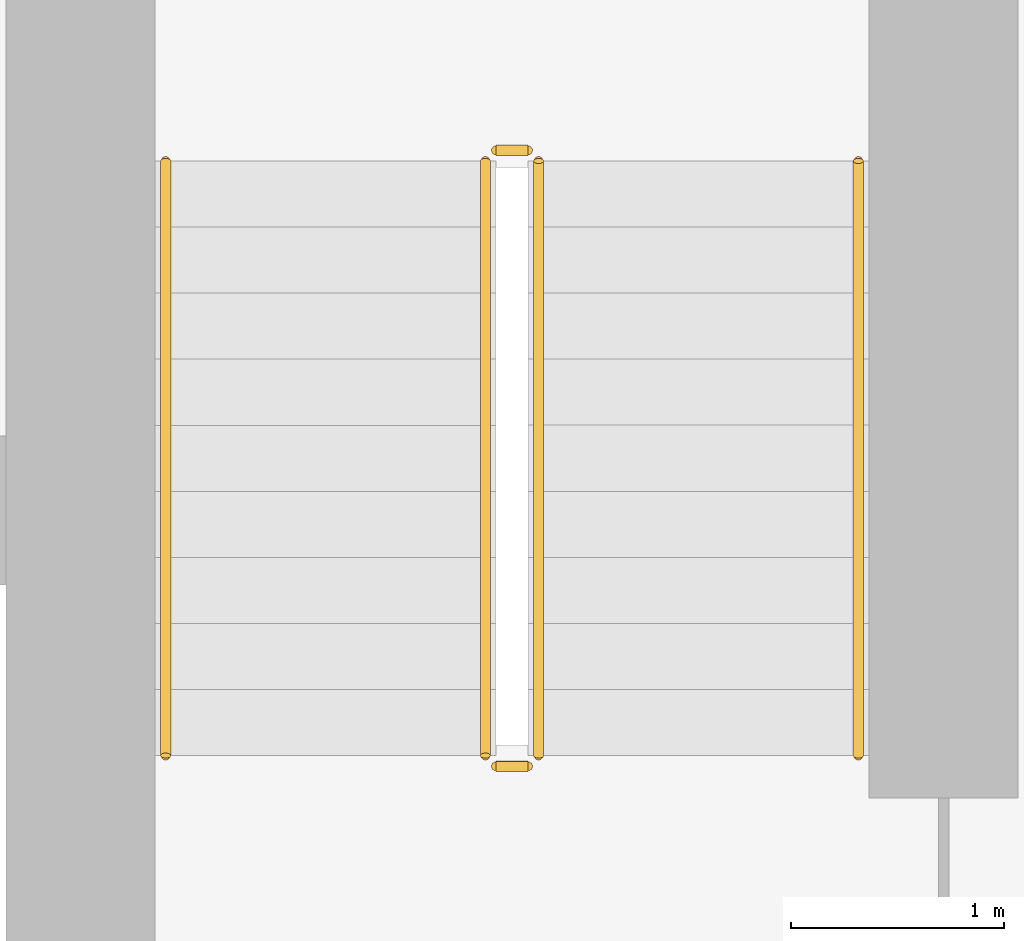
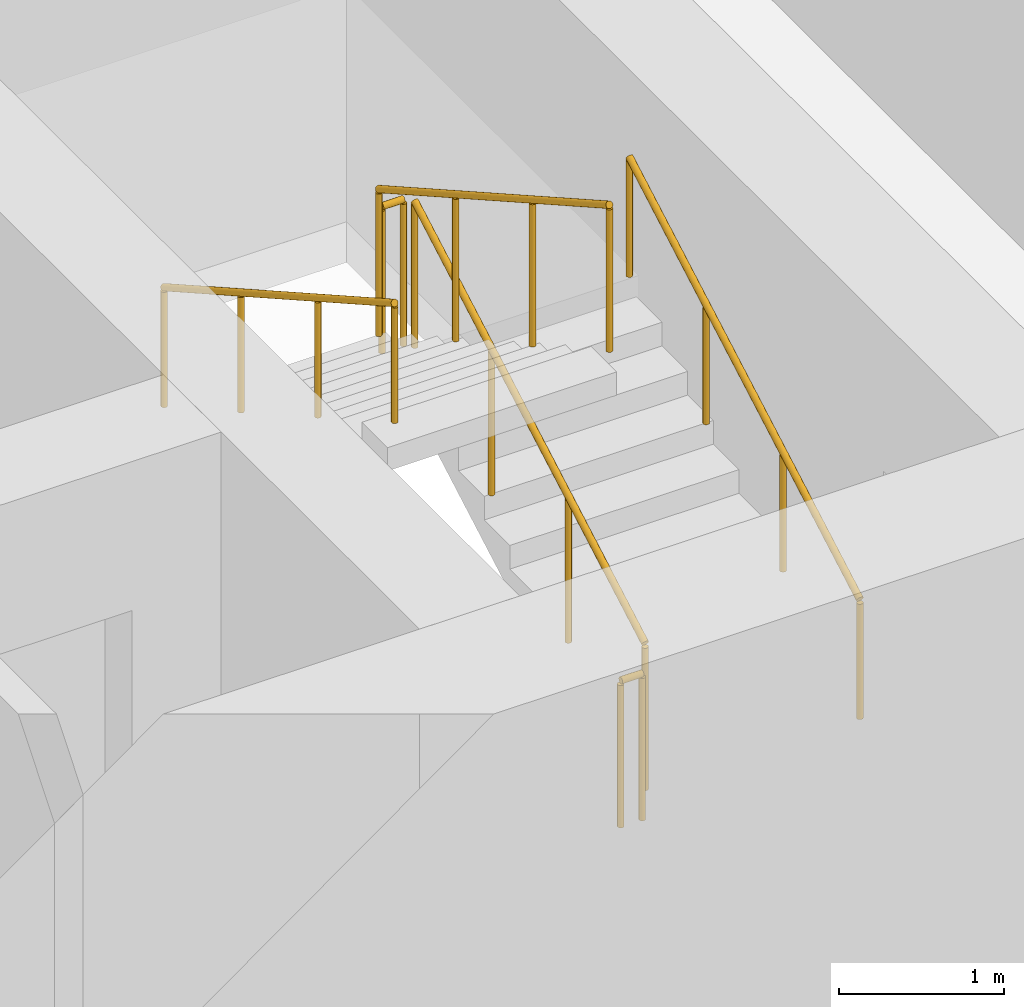
# One storey, part 19 of 21: 6 railings.
"""IFC4 building model written with IfcOpenShell, lengths in metres."""

from ifc_helpers import new_model, si_unit, direction, frame, origin, origin_2d, place, context, subcontext, project, spatial, circle, extrude, material, type_object, element, save


model = new_model("IFC4")

# Units and contexts
model_context = context("Model", 3, precision=1e-05, world=origin(), true_north=direction((0.0, 1.0)))
body_context = subcontext(model_context, "Body", "Model", "MODEL_VIEW")
ifc_project = project(units=[si_unit("LENGTHUNIT", "METRE"), si_unit("AREAUNIT", "SQUARE_METRE"), si_unit("VOLUMEUNIT", "CUBIC_METRE"), si_unit("PLANEANGLEUNIT", "RADIAN"), si_unit("MASSUNIT", "GRAM", prefix="KILO")], contexts=[model_context])

# Site, building, storey
site_placement = place(None, origin())
site = spatial("IfcSite", under=ifc_project, at=site_placement, CompositionType="ELEMENT")
building_placement = place(site_placement, origin())
building = spatial("IfcBuilding", under=site, at=building_placement, Name="Madar Terraces", CompositionType="ELEMENT")
storey_placement = place(building_placement, frame((0.0, 0.0, 43.39990234375)))
storey = spatial("IfcBuildingStorey", under=building, at=storey_placement, Name="L10", CompositionType="ELEMENT", Elevation=43.39990234375)

# Railings
ifc_material_1 = material(Name="Stainless steel railing", Category="steel")
railing_type_1 = type_object("IfcRailingType", Name="Stair guard 1100", PredefinedType="GUARDRAIL", material=ifc_material_1)
railing_1_placement = place(storey_placement, frame((41.449951171875, 17.60009765625, 0.175048828125)))
element("IfcRailing", 1, at=railing_1_placement, inside=storey, type_object=railing_type_1, Name="L10 ST3 stair guard 1", PredefinedType="GUARDRAIL", context=body_context, shape_type="SweptSolid", body=[
    extrude(circle(Radius=0.02392578125, at=origin_2d()), frame((0.0, 0.0, 1.076171875), z_axis=(0.0, 0.870815363784, 0.491610213684), x_axis=(-1.0, 0.0, 0.0)), (0.0, 0.0, 1.0), 3.20361328125),
    extrude(circle(Radius=0.02099609375, at=origin_2d()), origin(), (0.0, 0.0, 1.0), 1.052001953125),
    extrude(circle(Radius=0.02099609375, at=origin_2d()), frame((0.0, 0.929931640625, 0.52490234375)), (0.0, 0.0, 1.0), 1.052001953125),
    extrude(circle(Radius=0.02099609375, at=origin_2d()), frame((0.0, 1.85986328125, 1.050048828125)), (0.0, 0.0, 1.0), 1.052001953125),
    extrude(circle(Radius=0.02099609375, at=origin_2d()), frame((0.0, 2.789794921875, 1.574951171875)), (0.0, 0.0, 1.0), 1.052001953125),
])
railing_2_placement = place(storey_placement, frame((41.39990234375, 20.43994140625, 1.75)))
element("IfcRailing", 2, at=railing_2_placement, inside=storey, type_object=railing_type_1, Name="L10 ST3 stair guard 2", PredefinedType="GUARDRAIL", context=body_context, shape_type="SweptSolid", body=[
    extrude(circle(Radius=0.02392578125, at=origin_2d()), frame((0.0, 0.0, 1.076171875), z_axis=(-1.0, 0.0, 0.0), x_axis=(0.0, -1.0, 0.0)), (0.0, 0.0, 1.0), 0.14990234375),
    extrude(circle(Radius=0.02099609375, at=origin_2d()), origin(), (0.0, 0.0, 1.0), 1.052001953125),
    extrude(circle(Radius=0.02099609375, at=origin_2d()), frame((-0.14990234375, 0.0, 0.0)), (0.0, 0.0, 1.0), 1.052001953125),
])
railing_3_placement = place(storey_placement, frame((41.199951171875, 20.389892578125, 1.925048828125)))
element("IfcRailing", 3, at=railing_3_placement, inside=storey, type_object=railing_type_1, Name="L10 ST3 stair guard 3", PredefinedType="GUARDRAIL", context=body_context, shape_type="SweptSolid", body=[
    extrude(circle(Radius=0.02392578125, at=origin_2d()), frame((0.0, 0.0, 1.076171875), z_axis=(0.0, -0.870815363784, 0.491610213684), x_axis=(1.0, 0.0, 0.0)), (0.0, 0.0, 1.0), 3.20361328125),
    extrude(circle(Radius=0.02099609375, at=origin_2d()), origin(), (0.0, 0.0, 1.0), 1.052001953125),
    extrude(circle(Radius=0.02099609375, at=origin_2d()), frame((0.0, -0.929931640625, 0.52490234375)), (0.0, 0.0, 1.0), 1.052001953125),
    extrude(circle(Radius=0.02099609375, at=origin_2d()), frame((0.0, -1.85986328125, 1.050048828125)), (0.0, 0.0, 1.0), 1.052001953125),
    extrude(circle(Radius=0.02099609375, at=origin_2d()), frame((0.0, -2.789794921875, 1.574951171875)), (0.0, 0.0, 1.0), 1.052001953125),
])
railing_4_placement = place(storey_placement, frame((41.39990234375, 17.550048828125, 0.0)))
element("IfcRailing", 4, at=railing_4_placement, inside=storey, type_object=railing_type_1, Name="L10 ST3 stair guard 4", PredefinedType="GUARDRAIL", context=body_context, shape_type="SweptSolid", body=[
    extrude(circle(Radius=0.02392578125, at=origin_2d()), frame((0.0, 0.0, 1.076171875), z_axis=(-1.0, 0.0, 0.0), x_axis=(0.0, -1.0, 0.0)), (0.0, 0.0, 1.0), 0.14990234375),
    extrude(circle(Radius=0.02099609375, at=origin_2d()), origin(), (0.0, 0.0, 1.0), 1.052001953125),
    extrude(circle(Radius=0.02099609375, at=origin_2d()), frame((-0.14990234375, 0.0, 0.0)), (0.0, 0.0, 1.0), 1.052001953125),
])
ifc_material_2 = material(Name="Stainless steel railing", Category="steel")
railing_type_2 = type_object("IfcRailingType", Name="Stair handrail 900", PredefinedType="HANDRAIL", material=ifc_material_2)
railing_5_placement = place(storey_placement, frame((42.949951171875, 17.60009765625, 0.175048828125)))
element("IfcRailing", 5, at=railing_5_placement, inside=storey, type_object=railing_type_2, Name="L10 ST3 stair handrail 1", PredefinedType="HANDRAIL", context=body_context, shape_type="SweptSolid", body=[
    extrude(circle(Radius=0.02392578125, at=origin_2d()), frame((0.0, 0.0, 0.8759765625), z_axis=(0.0, 0.870815363784, 0.491610213684), x_axis=(-1.0, 0.0, 0.0)), (0.0, 0.0, 1.0), 3.20361328125),
    extrude(circle(Radius=0.02099609375, at=origin_2d()), origin(), (0.0, 0.0, 1.0), 0.851806640625),
    extrude(circle(Radius=0.02099609375, at=origin_2d()), frame((0.0, 0.929931640625, 0.52490234375)), (0.0, 0.0, 1.0), 0.851806640625),
    extrude(circle(Radius=0.02099609375, at=origin_2d()), frame((0.0, 1.85986328125, 1.050048828125)), (0.0, 0.0, 1.0), 0.851806640625),
    extrude(circle(Radius=0.02099609375, at=origin_2d()), frame((0.0, 2.789794921875, 1.574951171875)), (0.0, 0.0, 1.0), 0.851806640625),
])
railing_6_placement = place(storey_placement, frame((39.699951171875, 20.389892578125, 1.925048828125)))
element("IfcRailing", 6, at=railing_6_placement, inside=storey, type_object=railing_type_2, Name="L10 ST3 stair handrail 2", PredefinedType="HANDRAIL", context=body_context, shape_type="SweptSolid", body=[
    extrude(circle(Radius=0.02392578125, at=origin_2d()), frame((0.0, 0.0, 0.8759765625), z_axis=(0.0, -0.870815363784, 0.491610213684), x_axis=(1.0, 0.0, 0.0)), (0.0, 0.0, 1.0), 3.20361328125),
    extrude(circle(Radius=0.02099609375, at=origin_2d()), origin(), (0.0, 0.0, 1.0), 0.851806640625),
    extrude(circle(Radius=0.02099609375, at=origin_2d()), frame((0.0, -0.929931640625, 0.52490234375)), (0.0, 0.0, 1.0), 0.851806640625),
    extrude(circle(Radius=0.02099609375, at=origin_2d()), frame((0.0, -1.85986328125, 1.050048828125)), (0.0, 0.0, 1.0), 0.851806640625),
    extrude(circle(Radius=0.02099609375, at=origin_2d()), frame((0.0, -2.789794921875, 1.574951171875)), (0.0, 0.0, 1.0), 0.851806640625),
])

save(model, "model.ifc")
